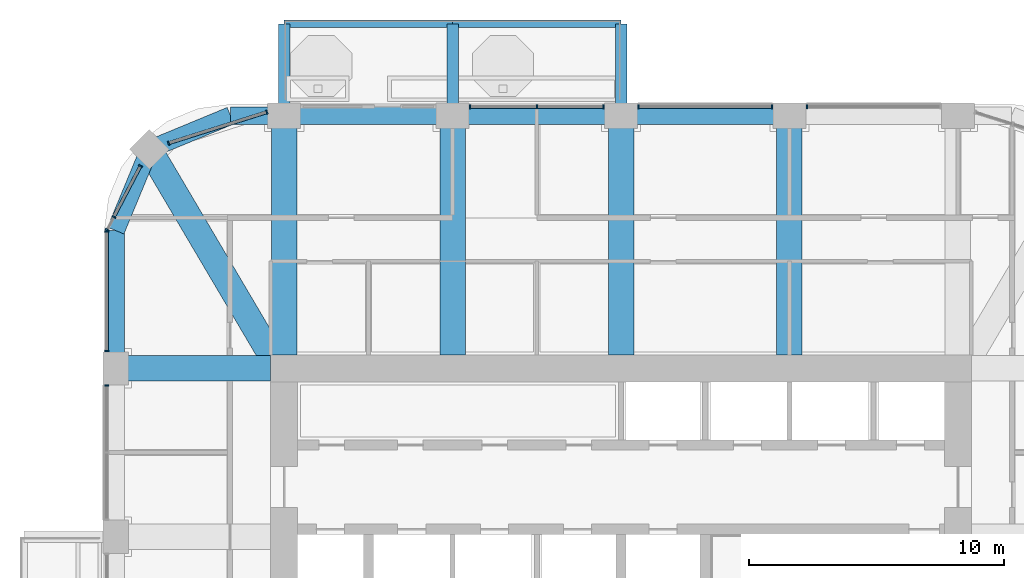
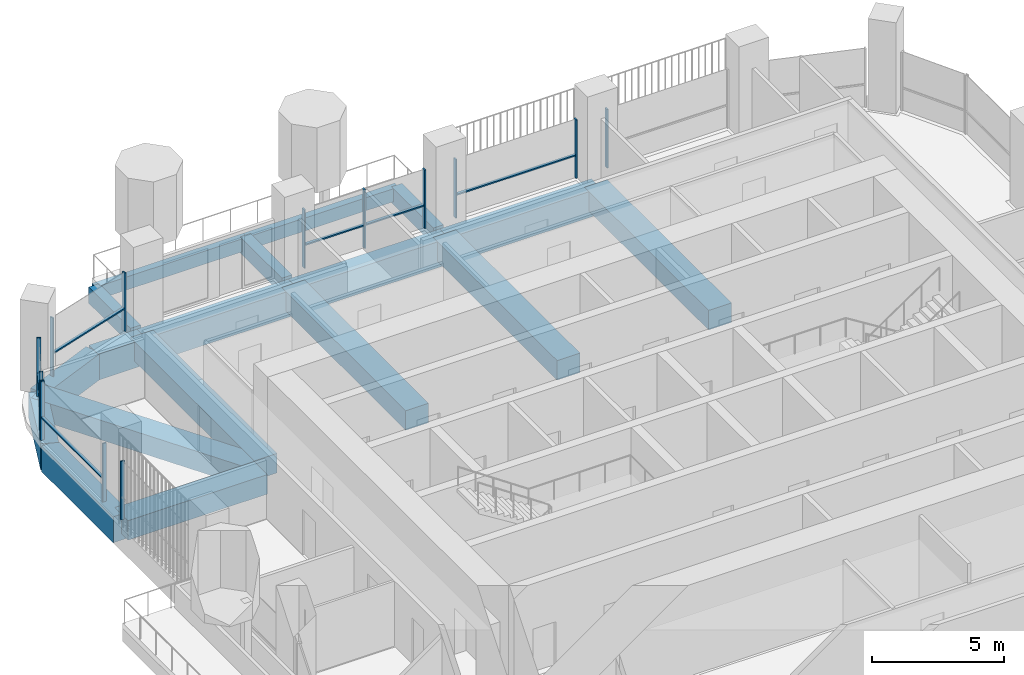
# One storey, part 5 of 19: 20 members, 18 beams, 7 elements without a shape of their own.
"""IFC4 building model written with IfcOpenShell, lengths in metres."""

import ifcopenshell
import ifcopenshell.guid

model = None  # the IFC model being written
_history = None  # IfcOwnerHistory: only IFC2X3 demands one
_inside = {}  # id of a spatial element -> (the spatial element, [elements in it])
_under = {}  # id of a project, library or spatial element -> (it, [spatial elements below it])
_declared = {}  # id of a project -> (the project, [libraries it declares])
_typed = {}  # id of a type object -> (the type object, [elements of that type])
_made_of = {}  # id of a material, layer set ... -> (it, [elements and type objects made of it])


def new_model(schema):
    """Start an empty IFC model of exactly this schema.

    Asked for "IFC4X3", IfcOpenShell would pick the latest addendum, in which some entities
    have other attributes; the version numbers below select the first issue.
    IFC2X3 requires an IfcOwnerHistory on every rooted entity: one is made here for all.
    """
    global model, _history
    if schema == "IFC4X3":
        model = ifcopenshell.file(schema_version=(4, 3, 0, 0))
    else:
        model = ifcopenshell.file(schema=schema)
    _inside.clear()
    _under.clear()
    _declared.clear()
    _typed.clear()
    _made_of.clear()
    _history = None
    if model.schema == "IFC2X3":
        org = make("IfcOrganization", Name="unknown")
        user = make(
            "IfcPersonAndOrganization",
            ThePerson=make("IfcPerson", FamilyName="unknown"),
            TheOrganization=org,
        )
        app = make(
            "IfcApplication",
            ApplicationDeveloper=org,
            Version="unknown",
            ApplicationFullName="unknown",
            ApplicationIdentifier="unknown",
        )
        _history = make(
            "IfcOwnerHistory",
            OwningUser=user,
            OwningApplication=app,
            ChangeAction="ADDED",
            CreationDate=0,
        )
    return model


def make(cls, **values):
    """One entity of the class cls with the attributes given. An attribute that is None is left unset."""
    return model.create_entity(
        cls, **{name: value for name, value in values.items() if value is not None}
    )


def rooted(cls, **values):
    """An entity with a GlobalId (a new one), such as an element, a storey or a relation."""
    return make(cls, GlobalId=ifcopenshell.guid.new(), OwnerHistory=_history, **values)


def si_unit(unit_type, name, prefix=None):
    """IfcSIUnit, for example si_unit("LENGTHUNIT", "METRE", prefix="MILLI")."""
    return make("IfcSIUnit", UnitType=unit_type, Prefix=prefix, Name=name)


def assignment(units):
    """IfcUnitAssignment: the units of a project."""
    return None if units is None else make("IfcUnitAssignment", Units=units)


def point(xyz):
    """IfcCartesianPoint."""
    return None if xyz is None else make("IfcCartesianPoint", Coordinates=xyz)


def direction(xyz):
    """IfcDirection."""
    return None if xyz is None else make("IfcDirection", DirectionRatios=xyz)


def frame(location, z_axis=None, x_axis=None):
    """IfcAxis2Placement3D, a coordinate frame: its origin and axes. An axis left out is left unset."""
    return make(
        "IfcAxis2Placement3D",
        Location=point(location),
        Axis=direction(z_axis),
        RefDirection=direction(x_axis),
    )


def frame_2d(location, x_axis=None):
    """IfcAxis2Placement2D, a coordinate frame in the plane: its origin and x axis."""
    return make(
        "IfcAxis2Placement2D", Location=point(location), RefDirection=direction(x_axis)
    )


def origin():
    """The frame at (0, 0, 0) with its axes left unset."""
    return frame((0.0, 0.0, 0.0))


def origin_2d():
    """The frame at (0, 0) in the plane with its x axis left unset."""
    return frame_2d((0.0, 0.0))


def place(relative_to, where):
    """IfcLocalPlacement: puts the frame where relative to a parent placement (None: the world)."""
    return make(
        "IfcLocalPlacement", PlacementRelTo=relative_to, RelativePlacement=where
    )


def context(
    kind, dimensions, precision=None, world=None, true_north=None, identifier=None
):
    """IfcGeometricRepresentationContext, for example the 3D "Model" context."""
    return make(
        "IfcGeometricRepresentationContext",
        ContextIdentifier=identifier,
        ContextType=kind,
        CoordinateSpaceDimension=dimensions,
        Precision=precision,
        WorldCoordinateSystem=world,
        TrueNorth=true_north,
    )


def subcontext(parent, identifier, kind, view, scale=None):
    """IfcGeometricRepresentationSubContext, for example "Body" below "Model"."""
    return make(
        "IfcGeometricRepresentationSubContext",
        ContextIdentifier=identifier,
        ContextType=kind,
        ParentContext=parent,
        TargetScale=scale,
        TargetView=view,
    )


def project(units=None, contexts=None):
    """IfcProject with its units and contexts."""
    return rooted(
        "IfcProject",
        Name="project",
        RepresentationContexts=contexts,
        UnitsInContext=assignment(units),
    )


def spatial(cls, under=None, at=None, **own):
    """A site, building, storey or space (cls), placed at a placement, below another one or the project."""
    s = rooted(cls, ObjectPlacement=at, **own)
    if under is not None:
        _under.setdefault(under.id(), (under, []))[1].append(s)
    return s


def profile(cls, at=None, kind="AREA", **sizes):
    """A parametric profile (cls). Its sizes go by their IFC names, for example OverallWidth=200.0."""
    return make(cls, ProfileType=kind, Position=at, **sizes)


def rectangle(**sizes):
    """IfcRectangleProfileDef."""
    return profile("IfcRectangleProfileDef", **sizes)


def extrude(swept, where, along, depth):
    """IfcExtrudedAreaSolid: the profile swept, set in the frame where, extruded along a direction by depth."""
    return make(
        "IfcExtrudedAreaSolid",
        SweptArea=swept,
        Position=where,
        ExtrudedDirection=direction(along),
        Depth=depth,
    )


def shape(context_of_items, identifier, shape_type, items):
    """IfcShapeRepresentation: the items that make up one representation, for example the "Body"."""
    return make(
        "IfcShapeRepresentation",
        ContextOfItems=context_of_items,
        RepresentationIdentifier=identifier,
        RepresentationType=shape_type,
        Items=items,
    )


def material(Name=None, Category=None):
    """IfcMaterial."""
    return make("IfcMaterial", Name=Name, Category=Category)


def material_profile(
    of_material, cross_section, Name=None, Category=None, Priority=None
):
    """IfcMaterialProfile: a cross section and its material."""
    return make(
        "IfcMaterialProfile",
        Name=Name,
        Material=of_material,
        Profile=cross_section,
        Priority=Priority,
        Category=Category,
    )


def profile_set(profiles, Name=None, composite=None):
    """IfcMaterialProfileSet."""
    return make(
        "IfcMaterialProfileSet",
        Name=Name,
        MaterialProfiles=profiles,
        CompositeProfile=composite,
    )


def made_of(thing, what):
    """Note that an element or type object is made of a material, layer set ...; save() writes the relation."""
    if what is not None:
        _made_of.setdefault(what.id(), (what, []))[1].append(thing)
    return thing


def type_object(cls, material=None, **own):
    """A type object (cls), such as IfcWallType, which elements share."""
    return made_of(rooted(cls, **own), material)


def element(
    cls,
    number,
    at=None,
    inside=None,
    cuts=None,
    type_object=None,
    material=None,
    context=None,
    identifier="Body",
    shape_type=None,
    held_by="IfcProductDefinitionShape",
    body=None,
    shapes=None,
    **own,
):
    """One element of the class cls, such as IfcWall. Its Tag is "e" and its number.

    at: its placement. inside: the storey or other place that contains it. cuts: it is an
    opening in that element (IfcRelVoidsElement). A single representation is given by context,
    identifier, shape_type and body (its items); several are given by shapes. held_by: the class
    of the entity that holds the representations. save() writes the other relations.
    """
    e = rooted(cls, Tag="e%d" % number, ObjectPlacement=at, **own)
    if body is not None:
        shapes = [shape(context, identifier, shape_type, body)]
    if shapes is not None:
        e.Representation = make(held_by, Representations=shapes)
    if inside is not None:
        _inside.setdefault(inside.id(), (inside, []))[1].append(e)
    if cuts is not None:
        rooted(
            "IfcRelVoidsElement", RelatingBuildingElement=cuts, RelatedOpeningElement=e
        )
    if type_object is not None:
        _typed.setdefault(type_object.id(), (type_object, []))[1].append(e)
    return made_of(e, material)


def aggregate(whole, parts):
    """IfcRelAggregates: a whole, such as a stair, and the parts it consists of."""
    return rooted("IfcRelAggregates", RelatingObject=whole, RelatedObjects=parts)


def save(model, path):
    """Write the relations noted so far, then the file.

    IfcRelAggregates (storeys below a building ...), IfcRelContainedInSpatialStructure (elements
    in a storey), IfcRelDefinesByType, IfcRelAssociatesMaterial and IfcRelDeclares: one each for
    every whole, place, type object, material and project.
    """
    for whole, parts in _under.values():
        aggregate(whole, parts)
    for where, things in _inside.values():
        rooted(
            "IfcRelContainedInSpatialStructure",
            RelatedElements=things,
            RelatingStructure=where,
        )
    for kind, things in _typed.values():
        rooted("IfcRelDefinesByType", RelatedObjects=things, RelatingType=kind)
    for what, things in _made_of.values():
        rooted("IfcRelAssociatesMaterial", RelatedObjects=things, RelatingMaterial=what)
    for by, libraries in _declared.values():
        rooted("IfcRelDeclares", RelatingContext=by, RelatedDefinitions=libraries)
    model.write(path)


model = new_model("IFC4")

# Units and contexts
model_context = context("Model", 3, precision=1e-05, world=origin(), true_north=direction((0.0, 1.0)))
body_context = subcontext(model_context, "Body", "Model", "MODEL_VIEW")
ifc_project = project(units=[si_unit("LENGTHUNIT", "METRE"), si_unit("AREAUNIT", "SQUARE_METRE"), si_unit("VOLUMEUNIT", "CUBIC_METRE"), si_unit("PLANEANGLEUNIT", "RADIAN"), si_unit("MASSUNIT", "GRAM", prefix="KILO")], contexts=[model_context])

# Site, building, storey
site_placement = place(None, origin())
site = spatial("IfcSite", under=ifc_project, at=site_placement, CompositionType="ELEMENT")
building_placement = place(site_placement, origin())
building = spatial("IfcBuilding", under=site, at=building_placement, Name="Cobogo Forest Laboratory Tower", CompositionType="ELEMENT")
storey_placement = place(building_placement, frame((0.0, 0.0, 237.60009765625)))
storey = spatial("IfcBuildingStorey", under=building, at=storey_placement, Name="L54", CompositionType="ELEMENT", Elevation=237.60009765625)

# Beams
ifc_material_1 = material(Name="Concrete HA-40 (C40/50)", Category="concrete")
ifc_material_profile_1 = material_profile(ifc_material_1, rectangle(XDim=0.449951171875, YDim=0.75, at=origin_2d()), Name="RC 450x750")
ifc_profile_set_1 = profile_set([ifc_material_profile_1], Name="Concrete HA-40 (C40/50)")
beam_type_1 = type_object("IfcBeamType", Name="Balcony cantilever beam 450x750", PredefinedType="BEAM", material=ifc_profile_set_1)
for number, where, z_axis, x_axis, name in (
    (1, (13.199951171875, 43.35009765625, -0.625), (0.0, 1.0, 0.0), (-1.0, 0.0, 0.0), "CB1 BAL-N1-C1 L54"),
    (2, (19.800048828125, 43.35009765625, -0.625), (0.0, 1.0, 0.0), (-1.0, 0.0, 0.0), "CB1 BAL-N1-C2 L54"),
    (3, (26.39990234375, 43.35009765625, -0.625), (0.0, 1.0, 0.0), (-1.0, 0.0, 0.0), "CB1 BAL-N1-C3 L54"),
):
    element("IfcBeam", number, at=place(storey_placement, frame(where, z_axis=z_axis, x_axis=x_axis)), inside=storey, type_object=beam_type_1, Name=name, PredefinedType="BEAM", context=body_context, shape_type="SweptSolid", body=[
        extrude(rectangle(XDim=0.449951171875, YDim=0.75, at=origin_2d()), origin(), (0.0, 0.0, 1.0), 3.14990234375),
    ])
ifc_material_profile_2 = material_profile(ifc_material_1, rectangle(XDim=0.300048828125, YDim=0.60009765625, at=origin_2d()), Name="RC 300x600")
ifc_profile_set_2 = profile_set([ifc_material_profile_2], Name="Concrete HA-40 (C40/50)")
beam_type_2 = type_object("IfcBeamType", Name="Balcony edge beam 300x600", PredefinedType="BEAM", material=ifc_profile_set_2)
beam_1_placement = place(storey_placement, frame((13.199951171875, 46.5, -0.550048828125), z_axis=(1.0, 0.0, 0.0), x_axis=(0.0, 1.0, 0.0)))
element("IfcBeam", 4, at=beam_1_placement, inside=storey, type_object=beam_type_2, Name="BB1 BAL-N1-T1 L54", PredefinedType="BEAM", context=body_context, shape_type="SweptSolid", body=[
    extrude(rectangle(XDim=0.300048828125, YDim=0.60009765625, at=origin_2d()), origin(), (0.0, 0.0, 1.0), 6.60009765625),
])
beam_2_placement = place(storey_placement, frame((19.800048828125, 46.5, -0.550048828125), z_axis=(1.0, 0.0, 0.0), x_axis=(0.0, 1.0, 0.0)))
element("IfcBeam", 5, at=beam_2_placement, inside=storey, type_object=beam_type_2, Name="BB1 BAL-N1-T2 L54", PredefinedType="BEAM", context=body_context, shape_type="SweptSolid", body=[
    extrude(rectangle(XDim=0.300048828125, YDim=0.60009765625, at=origin_2d()), origin(), (0.0, 0.0, 1.0), 6.599853515625),
])

# Curtain wall, member
ifc_material_2 = material(Name="Aluminium curtain wall", Category="aluminium")
curtain_wall_type = type_object("IfcCurtainWallType", Name="CW-2 unitised curtain wall, solar control glazing, laboratory floors zones C and D", PredefinedType="USERDEFINED", material=ifc_material_2)
curtain_wall_1_placement = place(storey_placement, origin())
curtain_wall_1 = element("IfcCurtainWall", 6, at=curtain_wall_1_placement, inside=storey, type_object=curtain_wall_type, Name="Curtain wall 14 L54", ObjectType="UNITISED CURTAIN WALL", PredefinedType="USERDEFINED")
ifc_material_3 = material(Name="Aluminium mullion", Category="aluminium")
ifc_material_profile_3 = material_profile(ifc_material_3, rectangle(XDim=0.06005859375, YDim=0.159912109375, at=origin_2d()), Name="AL 60x160")
ifc_profile_set_3 = profile_set([ifc_material_profile_3], Name="Aluminium mullion")
member_type_1 = type_object("IfcMemberType", Name="MU-1 aluminium mullion 60x160", PredefinedType="MULLION", material=ifc_profile_set_3)
member_1_placement = place(storey_placement, frame((33.679931640625, 43.25, 0.0), z_axis=(0.0, 0.0, 1.0), x_axis=(-1.0, 0.0, 0.0)))
member_1 = element("IfcMember", 7, at=member_1_placement, type_object=member_type_1, Name="CW-2 mullion 2", PredefinedType="MULLION", context=body_context, shape_type="SweptSolid", body=[
    extrude(rectangle(XDim=0.06005859375, YDim=0.159912109375, at=origin_2d()), origin(), (0.0, 0.0, 1.0), 2.699951171875),
])
aggregate(curtain_wall_1, [member_1])

# Curtain wall, members
curtain_wall_2_placement = place(storey_placement, origin())
curtain_wall_2 = element("IfcCurtainWall", 8, at=curtain_wall_2_placement, inside=storey, type_object=curtain_wall_type, Name="Curtain wall 15 L54", ObjectType="UNITISED CURTAIN WALL", PredefinedType="USERDEFINED")
member_2_placement = place(storey_placement, frame((32.320068359375, 43.25, 0.0), z_axis=(0.0, 0.0, 1.0), x_axis=(-1.0, 0.0, 0.0)))
member_2 = element("IfcMember", 9, at=member_2_placement, type_object=member_type_1, Name="CW-2 mullion 1", PredefinedType="MULLION", context=body_context, shape_type="SweptSolid", body=[
    extrude(rectangle(XDim=0.06005859375, YDim=0.159912109375, at=origin_2d()), origin(), (0.0, 0.0, 1.0), 2.699951171875),
])
member_3_placement = place(storey_placement, frame((27.080078125, 43.25, 0.0), z_axis=(0.0, 0.0, 1.0), x_axis=(-1.0, 0.0, 0.0)))
member_3 = element("IfcMember", 10, at=member_3_placement, type_object=member_type_1, Name="CW-2 mullion 2", PredefinedType="MULLION", context=body_context, shape_type="SweptSolid", body=[
    extrude(rectangle(XDim=0.06005859375, YDim=0.159912109375, at=origin_2d()), origin(), (0.0, 0.0, 1.0), 2.699951171875),
])

curtain_wall_3_placement = place(storey_placement, origin())
curtain_wall_3 = element("IfcCurtainWall", 11, at=curtain_wall_3_placement, inside=storey, type_object=curtain_wall_type, Name="Curtain wall 16 L54", ObjectType="UNITISED CURTAIN WALL", PredefinedType="USERDEFINED")
member_4_placement = place(storey_placement, frame((25.719970703125, 43.25, 0.0), z_axis=(0.0, 0.0, 1.0), x_axis=(-1.0, 0.0, 0.0)))
member_4 = element("IfcMember", 12, at=member_4_placement, type_object=member_type_1, Name="CW-2 mullion 1", PredefinedType="MULLION", context=body_context, shape_type="SweptSolid", body=[
    extrude(rectangle(XDim=0.06005859375, YDim=0.159912109375, at=origin_2d()), origin(), (0.0, 0.0, 1.0), 2.699951171875),
])
member_5_placement = place(storey_placement, frame((23.10009765625, 43.25, 0.0), z_axis=(0.0, 0.0, 1.0), x_axis=(-1.0, 0.0, 0.0)))
member_5 = element("IfcMember", 13, at=member_5_placement, type_object=member_type_1, Name="CW-2 mullion 2", PredefinedType="MULLION", context=body_context, shape_type="SweptSolid", body=[
    extrude(rectangle(XDim=0.06005859375, YDim=0.159912109375, at=origin_2d()), origin(), (0.0, 0.0, 1.0), 2.699951171875),
])
member_6_placement = place(storey_placement, frame((20.47998046875, 43.25, 0.0), z_axis=(0.0, 0.0, 1.0), x_axis=(-1.0, 0.0, 0.0)))
member_6 = element("IfcMember", 14, at=member_6_placement, type_object=member_type_1, Name="CW-2 mullion 3", PredefinedType="MULLION", context=body_context, shape_type="SweptSolid", body=[
    extrude(rectangle(XDim=0.06005859375, YDim=0.159912109375, at=origin_2d()), origin(), (0.0, 0.0, 1.0), 2.699951171875),
])

curtain_wall_4_placement = place(storey_placement, origin())
curtain_wall_4 = element("IfcCurtainWall", 15, at=curtain_wall_4_placement, inside=storey, type_object=curtain_wall_type, Name="Curtain wall 18 L54", ObjectType="UNITISED CURTAIN WALL", PredefinedType="USERDEFINED")
member_7_placement = place(storey_placement, frame((12.521484375, 43.03564453125, 0.0), z_axis=(0.0, 0.0, 1.0), x_axis=(-0.953581331491, -0.301135591107, 0.0)))
member_7 = element("IfcMember", 16, at=member_7_placement, type_object=member_type_1, Name="CW-2 mullion 1", PredefinedType="MULLION", context=body_context, shape_type="SweptSolid", body=[
    extrude(rectangle(XDim=0.06005859375, YDim=0.159912109375, at=origin_2d()), origin(), (0.0, 0.0, 1.0), 2.699951171875),
])
member_8_placement = place(storey_placement, frame((8.677490234375, 41.82177734375, 0.0), z_axis=(0.0, 0.0, 1.0), x_axis=(-0.953581331491, -0.301135591107, 0.0)))
member_8 = element("IfcMember", 17, at=member_8_placement, type_object=member_type_1, Name="CW-2 mullion 2", PredefinedType="MULLION", context=body_context, shape_type="SweptSolid", body=[
    extrude(rectangle(XDim=0.06005859375, YDim=0.159912109375, at=origin_2d()), origin(), (0.0, 0.0, 1.0), 2.699951171875),
])

curtain_wall_5_placement = place(storey_placement, origin())
curtain_wall_5 = element("IfcCurtainWall", 18, at=curtain_wall_5_placement, inside=storey, type_object=curtain_wall_type, Name="Curtain wall 19 L54", ObjectType="UNITISED CURTAIN WALL", PredefinedType="USERDEFINED")
member_9_placement = place(storey_placement, frame((7.5732421875, 40.924560546875, 0.0), z_axis=(0.0, 0.0, 1.0), x_axis=(-0.464283804832, -0.885686484356, 0.0)))
member_9 = element("IfcMember", 19, at=member_9_placement, type_object=member_type_1, Name="CW-2 mullion 1", PredefinedType="MULLION", context=body_context, shape_type="SweptSolid", body=[
    extrude(rectangle(XDim=0.06005859375, YDim=0.159912109375, at=origin_2d()), origin(), (0.0, 0.0, 1.0), 2.699951171875),
])
member_10_placement = place(storey_placement, frame((6.531494140625, 38.937255859375, 0.0), z_axis=(0.0, 0.0, 1.0), x_axis=(-0.464283804832, -0.885686484356, 0.0)))
member_10 = element("IfcMember", 20, at=member_10_placement, type_object=member_type_1, Name="CW-2 mullion 2", PredefinedType="MULLION", context=body_context, shape_type="SweptSolid", body=[
    extrude(rectangle(XDim=0.06005859375, YDim=0.159912109375, at=origin_2d()), origin(), (0.0, 0.0, 1.0), 2.699951171875),
])
member_11_placement = place(storey_placement, frame((6.263916015625, 38.426513671875, 0.0), z_axis=(0.0, 0.0, 1.0), x_axis=(-0.464283804832, -0.885686484356, 0.0)))
member_11 = element("IfcMember", 21, at=member_11_placement, type_object=member_type_1, Name="CW-2 mullion 3", PredefinedType="MULLION", context=body_context, shape_type="SweptSolid", body=[
    extrude(rectangle(XDim=0.06005859375, YDim=0.159912109375, at=origin_2d()), origin(), (0.0, 0.0, 1.0), 2.699951171875),
])

curtain_wall_6_placement = place(storey_placement, origin())
curtain_wall_6 = element("IfcCurtainWall", 22, at=curtain_wall_6_placement, inside=storey, type_object=curtain_wall_type, Name="Curtain wall 20 L54", ObjectType="UNITISED CURTAIN WALL", PredefinedType="USERDEFINED")
member_12_placement = place(storey_placement, frame((6.25, 38.3701171875, 0.0), z_axis=(0.0, 0.0, 1.0), x_axis=(0.0, -1.0, 0.0)))
member_12 = element("IfcMember", 23, at=member_12_placement, type_object=member_type_1, Name="CW-2 mullion 1", PredefinedType="MULLION", context=body_context, shape_type="SweptSolid", body=[
    extrude(rectangle(XDim=0.06005859375, YDim=0.159912109375, at=origin_2d()), origin(), (0.0, 0.0, 1.0), 2.699951171875),
])
member_13_placement = place(storey_placement, frame((6.25, 33.679931640625, 0.0), z_axis=(0.0, 0.0, 1.0), x_axis=(0.0, -1.0, 0.0)))
member_13 = element("IfcMember", 24, at=member_13_placement, type_object=member_type_1, Name="CW-2 mullion 2", PredefinedType="MULLION", context=body_context, shape_type="SweptSolid", body=[
    extrude(rectangle(XDim=0.06005859375, YDim=0.159912109375, at=origin_2d()), origin(), (0.0, 0.0, 1.0), 2.699951171875),
])

# Curtain wall, member
curtain_wall_7_placement = place(storey_placement, origin())
curtain_wall_7 = element("IfcCurtainWall", 25, at=curtain_wall_7_placement, inside=storey, type_object=curtain_wall_type, Name="Curtain wall 21 L54", ObjectType="UNITISED CURTAIN WALL", PredefinedType="USERDEFINED")
member_14_placement = place(storey_placement, frame((6.25, 32.320068359375, 0.0), z_axis=(0.0, 0.0, 1.0), x_axis=(0.0, -1.0, 0.0)))
member_14 = element("IfcMember", 26, at=member_14_placement, type_object=member_type_1, Name="CW-2 mullion 1", PredefinedType="MULLION", context=body_context, shape_type="SweptSolid", body=[
    extrude(rectangle(XDim=0.06005859375, YDim=0.159912109375, at=origin_2d()), origin(), (0.0, 0.0, 1.0), 2.699951171875),
])
aggregate(curtain_wall_7, [member_14])

# Beams
ifc_material_profile_4 = material_profile(ifc_material_1, rectangle(XDim=1.0, YDim=0.89990234375, at=origin_2d()), Name="RC 1000x900")
ifc_profile_set_4 = profile_set([ifc_material_profile_4], Name="Concrete HA-40 (C40/50)")
beam_type_3 = type_object("IfcBeamType", Name="Office floor wide beam 1000x900", PredefinedType="BEAM", material=ifc_profile_set_4)
for number, where, z_axis, x_axis, name in (
    (27, (13.199951171875, 33.52490234375, -0.75), (0.0, 1.0, 0.0), (-1.0, 0.0, 0.0), "RB2 R-3-N L54"),
    (28, (19.800048828125, 33.52490234375, -0.75), (0.0, 1.0, 0.0), (-1.0, 0.0, 0.0), "RB2 R-4-N L54"),
    (29, (26.39990234375, 33.52490234375, -0.75), (0.0, 1.0, 0.0), (-1.0, 0.0, 0.0), "RB2 R-5-N L54"),
    (30, (33.0, 33.52490234375, -0.75), (0.0, 1.0, 0.0), (-1.0, 0.0, 0.0), "RB2 R-6-N L54"),
):
    element("IfcBeam", number, at=place(storey_placement, frame(where, z_axis=z_axis, x_axis=x_axis)), inside=storey, type_object=beam_type_3, Name=name, PredefinedType="BEAM", context=body_context, shape_type="SweptSolid", body=[
        extrude(rectangle(XDim=1.0, YDim=0.89990234375, at=origin_2d()), origin(), (0.0, 0.0, 1.0), 9.375),
    ])
beam_3_placement = place(storey_placement, frame((12.675048828125, 33.0, -0.75), z_axis=(-1.0, 0.0, 0.0), x_axis=(0.0, -1.0, 0.0)))
element("IfcBeam", 31, at=beam_3_placement, inside=storey, type_object=beam_type_3, Name="RB2 R-F-W L54", PredefinedType="BEAM", context=body_context, shape_type="SweptSolid", body=[
    extrude(rectangle(XDim=1.0, YDim=0.89990234375, at=origin_2d()), origin(), (0.0, 0.0, 1.0), 6.074951171875),
])
beam_4_placement = place(storey_placement, frame((7.91796875, 41.58203125, -0.75), z_axis=(0.508416325908, -0.861111397875, 0.0), x_axis=(0.861111397875, 0.508416325908, 0.0)))
element("IfcBeam", 32, at=beam_4_placement, inside=storey, type_object=beam_type_3, Name="RB2 G-NW-D1 L54", PredefinedType="BEAM", context=body_context, shape_type="SweptSolid", body=[
    extrude(rectangle(XDim=1.0, YDim=0.89990234375, at=origin_2d()), origin(), (0.0, 0.0, 1.0), 9.356689453125),
])
ifc_material_profile_5 = material_profile(ifc_material_1, rectangle(XDim=0.699951171875, YDim=1.199951171875, at=origin_2d()), Name="RC 700x1200")
ifc_profile_set_5 = profile_set([ifc_material_profile_5], Name="Concrete HA-40 (C40/50)")
beam_type_4 = type_object("IfcBeamType", Name="Perimeter edge beam 700x1200", PredefinedType="BEAM", material=ifc_profile_set_5)
beam_5_placement = place(storey_placement, frame((13.199951171875, 42.89990234375, -0.900146484375), z_axis=(1.0, 0.0, 0.0), x_axis=(0.0, 1.0, 0.0)))
element("IfcBeam", 33, at=beam_5_placement, inside=storey, type_object=beam_type_4, Name="EB1 E-N1 L54", PredefinedType="BEAM", context=body_context, shape_type="SweptSolid", body=[
    extrude(rectangle(XDim=0.699951171875, YDim=1.199951171875, at=origin_2d()), origin(), (0.0, 0.0, 1.0), 6.60009765625),
])
beam_6_placement = place(storey_placement, frame((19.800048828125, 42.89990234375, -0.900146484375), z_axis=(1.0, 0.0, 0.0), x_axis=(0.0, 1.0, 0.0)))
element("IfcBeam", 34, at=beam_6_placement, inside=storey, type_object=beam_type_4, Name="EB1 E-N2 L54", PredefinedType="BEAM", context=body_context, shape_type="SweptSolid", body=[
    extrude(rectangle(XDim=0.699951171875, YDim=1.199951171875, at=origin_2d()), origin(), (0.0, 0.0, 1.0), 6.599853515625),
])
beam_7_placement = place(storey_placement, frame((26.39990234375, 42.89990234375, -0.900146484375), z_axis=(1.0, 0.0, 0.0), x_axis=(0.0, 1.0, 0.0)))
element("IfcBeam", 35, at=beam_7_placement, inside=storey, type_object=beam_type_4, Name="EB1 E-N3 L54", PredefinedType="BEAM", context=body_context, shape_type="SweptSolid", body=[
    extrude(rectangle(XDim=0.699951171875, YDim=1.199951171875, at=origin_2d()), origin(), (0.0, 0.0, 1.0), 6.60009765625),
])
beam_8_placement = place(storey_placement, frame((13.199951171875, 42.89990234375, -0.900146484375), z_axis=(-1.0, 0.0, 0.0), x_axis=(0.0, -1.0, 0.0)))
element("IfcBeam", 36, at=beam_8_placement, inside=storey, type_object=beam_type_4, Name="EB1 E-NWN1 L54", PredefinedType="BEAM", context=body_context, shape_type="SweptSolid", body=[
    extrude(rectangle(XDim=0.699951171875, YDim=1.199951171875, at=origin_2d()), origin(), (0.0, 0.0, 1.0), 2.099853515625),
])
beam_9_placement = place(storey_placement, frame((11.10009765625, 42.89990234375, -0.900146484375), z_axis=(-0.923901072997, -0.382631424892, 0.0), x_axis=(0.382631424892, -0.923901072997, 0.0)))
element("IfcBeam", 37, at=beam_9_placement, inside=storey, type_object=beam_type_4, Name="EB1 E-NWN2 L54", PredefinedType="BEAM", context=body_context, shape_type="SweptSolid", body=[
    extrude(rectangle(XDim=0.699951171875, YDim=1.199951171875, at=origin_2d()), origin(), (0.0, 0.0, 1.0), 3.4443359375),
])
beam_10_placement = place(storey_placement, frame((6.60009765625, 33.0, -0.900146484375), z_axis=(0.0, 1.0, 0.0), x_axis=(-1.0, 0.0, 0.0)))
element("IfcBeam", 38, at=beam_10_placement, inside=storey, type_object=beam_type_4, Name="EB1 E-NWW1 L54", PredefinedType="BEAM", context=body_context, shape_type="SweptSolid", body=[
    extrude(rectangle(XDim=0.699951171875, YDim=1.199951171875, at=origin_2d()), origin(), (0.0, 0.0, 1.0), 5.39990234375),
])
beam_11_placement = place(storey_placement, frame((6.60009765625, 38.39990234375, -0.900146484375), z_axis=(0.382631424892, 0.923901072997, 0.0), x_axis=(-0.923901072997, 0.382631424892, 0.0)))
element("IfcBeam", 39, at=beam_11_placement, inside=storey, type_object=beam_type_4, Name="EB1 E-NWW2 L54", PredefinedType="BEAM", context=body_context, shape_type="SweptSolid", body=[
    extrude(rectangle(XDim=0.699951171875, YDim=1.199951171875, at=origin_2d()), origin(), (0.0, 0.0, 1.0), 3.4443359375),
])

# Member
ifc_material_4 = material(Name="Aluminium transom", Category="aluminium")
ifc_material_profile_6 = material_profile(ifc_material_4, rectangle(XDim=0.1201171875, YDim=0.06005859375, at=origin_2d()), Name="AL 60x120")
ifc_profile_set_6 = profile_set([ifc_material_profile_6], Name="Aluminium transom")
member_type_2 = type_object("IfcMemberType", Name="TR-1 aluminium transom 60x120", PredefinedType="USERDEFINED", material=ifc_profile_set_6)
member_15_placement = place(storey_placement, frame((32.2900390625, 43.25, 1.0498046875), z_axis=(-1.0, 0.0, 0.0), x_axis=(0.0, -1.0, 0.0)))
member_15 = element("IfcMember", 40, at=member_15_placement, type_object=member_type_2, Name="CW-2 transom 1.1", ObjectType="TRANSOM", PredefinedType="USERDEFINED", context=body_context, shape_type="SweptSolid", body=[
    extrude(rectangle(XDim=0.1201171875, YDim=0.06005859375, at=origin_2d()), origin(), (0.0, 0.0, 1.0), 5.179931640625),
])

aggregate(curtain_wall_2, [member_2, member_3, member_15])

member_16_placement = place(storey_placement, frame((25.68994140625, 43.25, 1.0498046875), z_axis=(-1.0, 0.0, 0.0), x_axis=(0.0, -1.0, 0.0)))
member_16 = element("IfcMember", 41, at=member_16_placement, type_object=member_type_2, Name="CW-2 transom 1.1", ObjectType="TRANSOM", PredefinedType="USERDEFINED", context=body_context, shape_type="SweptSolid", body=[
    extrude(rectangle(XDim=0.1201171875, YDim=0.06005859375, at=origin_2d()), origin(), (0.0, 0.0, 1.0), 2.56005859375),
])

member_17_placement = place(storey_placement, frame((23.070068359375, 43.25, 1.0498046875), z_axis=(-1.0, 0.0, 0.0), x_axis=(0.0, -1.0, 0.0)))
member_17 = element("IfcMember", 42, at=member_17_placement, type_object=member_type_2, Name="CW-2 transom 2.1", ObjectType="TRANSOM", PredefinedType="USERDEFINED", context=body_context, shape_type="SweptSolid", body=[
    extrude(rectangle(XDim=0.1201171875, YDim=0.06005859375, at=origin_2d()), origin(), (0.0, 0.0, 1.0), 2.56005859375),
])

aggregate(curtain_wall_3, [member_4, member_5, member_6, member_16, member_17])

member_18_placement = place(storey_placement, frame((12.49267578125, 43.026611328125, 1.0498046875), z_axis=(-0.953580806728, -0.301137252827, 0.0), x_axis=(0.301137252827, -0.953580806728, 0.0)))
member_18 = element("IfcMember", 43, at=member_18_placement, type_object=member_type_2, Name="CW-2 transom 1.1", ObjectType="TRANSOM", PredefinedType="USERDEFINED", context=body_context, shape_type="SweptSolid", body=[
    extrude(rectangle(XDim=0.1201171875, YDim=0.06005859375, at=origin_2d()), origin(), (0.0, 0.0, 1.0), 3.970947265625),
])

aggregate(curtain_wall_4, [member_7, member_8, member_18])

member_19_placement = place(storey_placement, frame((7.559326171875, 40.89794921875, 1.0498046875), z_axis=(-0.464257605101, -0.885700217967, 0.0), x_axis=(0.885700217967, -0.464257605101, 0.0)))
member_19 = element("IfcMember", 44, at=member_19_placement, type_object=member_type_2, Name="CW-2 transom 1.1", ObjectType="TRANSOM", PredefinedType="USERDEFINED", context=body_context, shape_type="SweptSolid", body=[
    extrude(rectangle(XDim=0.1201171875, YDim=0.06005859375, at=origin_2d()), origin(), (0.0, 0.0, 1.0), 2.183837890625),
])

aggregate(curtain_wall_5, [member_9, member_10, member_11, member_19])

member_20_placement = place(storey_placement, frame((6.25, 38.340087890625, 1.0498046875), z_axis=(0.0, -1.0, 0.0), x_axis=(1.0, 0.0, 0.0)))
member_20 = element("IfcMember", 45, at=member_20_placement, type_object=member_type_2, Name="CW-2 transom 1.1", ObjectType="TRANSOM", PredefinedType="USERDEFINED", context=body_context, shape_type="SweptSolid", body=[
    extrude(rectangle(XDim=0.1201171875, YDim=0.06005859375, at=origin_2d()), origin(), (0.0, 0.0, 1.0), 4.630126953125),
])

aggregate(curtain_wall_6, [member_12, member_13, member_20])

save(model, "model.ifc")
